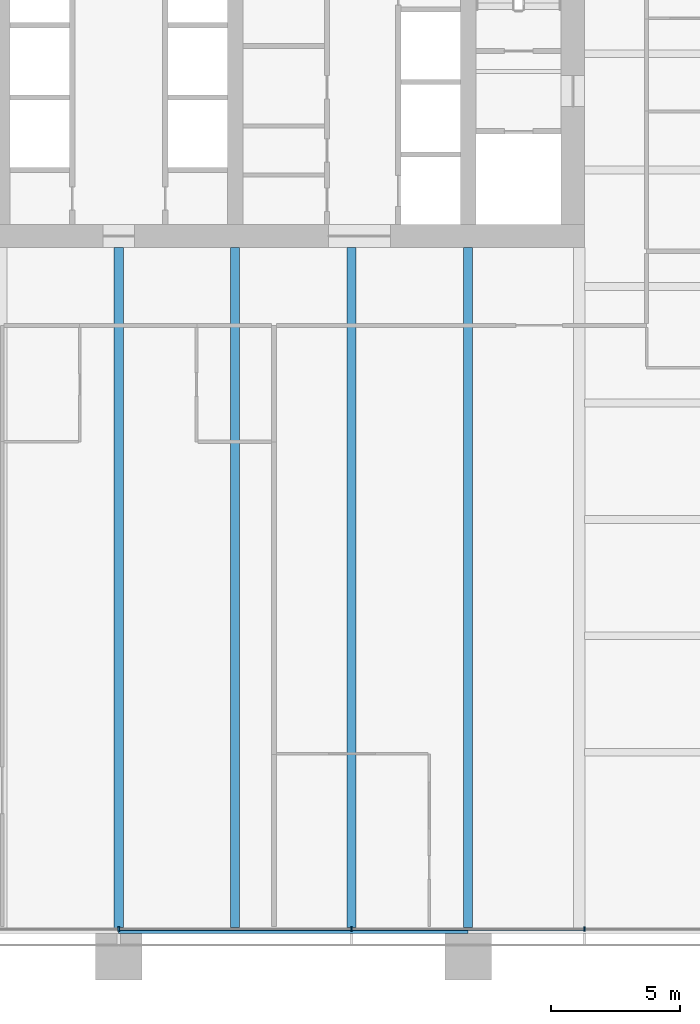
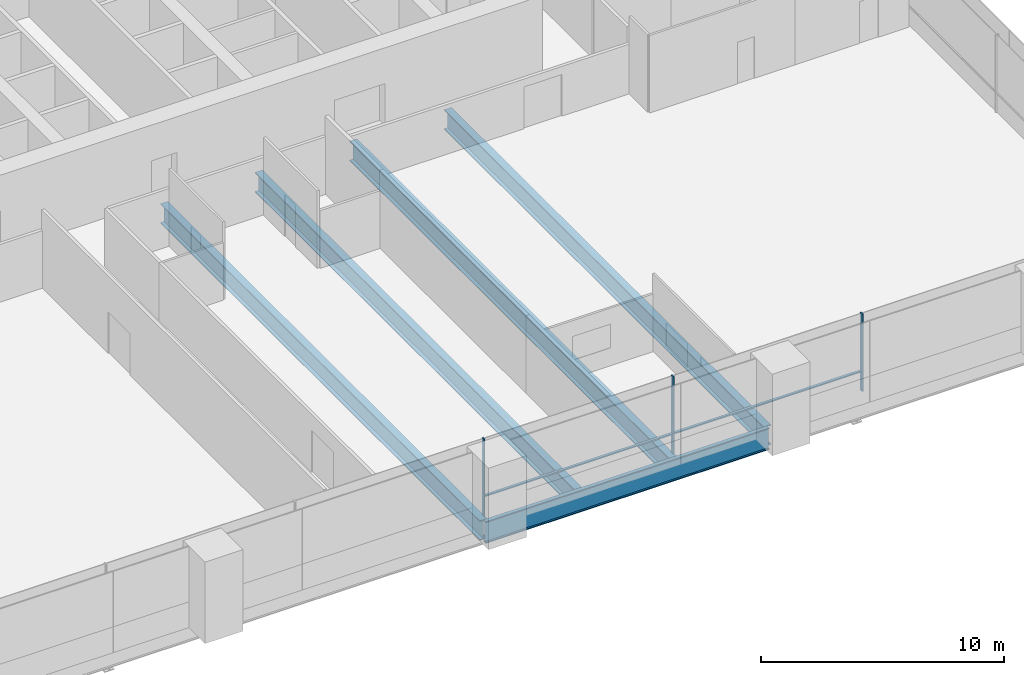
# One storey, part 5 of 19: 5 beams, 5 members, 1 element without a shape of its own.
"""IFC4 building model written with IfcOpenShell, lengths in metres."""

from ifc_helpers import new_model, si_unit, direction, frame, origin, origin_2d, place, context, subcontext, project, spatial, rectangle, i_section, extrude, material, material_profile, profile_set, type_object, element, aggregate, save


model = new_model("IFC4")

# Units and contexts
model_context = context("Model", 3, precision=1e-05, world=origin(), true_north=direction((0.0, 1.0)))
body_context = subcontext(model_context, "Body", "Model", "MODEL_VIEW")
ifc_project = project(units=[si_unit("LENGTHUNIT", "METRE"), si_unit("AREAUNIT", "SQUARE_METRE"), si_unit("VOLUMEUNIT", "CUBIC_METRE"), si_unit("PLANEANGLEUNIT", "RADIAN"), si_unit("MASSUNIT", "GRAM", prefix="KILO")], contexts=[model_context])

# Site, building, storey
site_placement = place(None, origin())
site = spatial("IfcSite", under=ifc_project, at=site_placement, CompositionType="ELEMENT")
building_placement = place(site_placement, origin())
building = spatial("IfcBuilding", under=site, at=building_placement, Name="Rattan Terrace Tower", CompositionType="ELEMENT")
storey_placement = place(building_placement, frame((0.0, 0.0, 52.89990234375)))
storey = spatial("IfcBuildingStorey", under=building, at=storey_placement, Name="L11", CompositionType="ELEMENT", Elevation=52.89990234375)

# Curtain wall, members
ifc_material_1 = material(Name="Aluminium and glass", Category="aluminium")
curtain_wall_type = type_object("IfcCurtainWallType", Name="Facade Unitised Curtain Wall", PredefinedType="NOTDEFINED", material=ifc_material_1)
curtain_wall_placement = place(storey_placement, origin())
curtain_wall = element("IfcCurtainWall", 1, at=curtain_wall_placement, inside=storey, type_object=curtain_wall_type, Name="Curtain wall L11-4", PredefinedType="NOTDEFINED")
ifc_material_2 = material(Name="Aluminium", Category="aluminium")
ifc_material_profile_1 = material_profile(ifc_material_2, rectangle(XDim=0.06005859375, YDim=0.159912109375, at=origin_2d()), Name="Aluminium 60x160")
ifc_profile_set_1 = profile_set([ifc_material_profile_1], Name="Aluminium")
member_type_1 = type_object("IfcMemberType", Name="Facade CW Mullion 60x160", PredefinedType="MULLION", material=ifc_profile_set_1)
member_1_placement = place(storey_placement, frame((0.0, -33.830078125, 0.0), z_axis=(0.0, 0.0, 1.0), x_axis=(1.0, 0.0, 0.0)))
member_1 = element("IfcMember", 2, at=member_1_placement, type_object=member_type_1, Name="Mullion cwl-L11-004.4", PredefinedType="MULLION", context=body_context, shape_type="SweptSolid", body=[
    extrude(rectangle(XDim=0.06005859375, YDim=0.159912109375, at=origin_2d()), origin(), (0.0, 0.0, 1.0), 3.900146484375),
])
member_2_placement = place(storey_placement, frame((9.0, -33.830078125, 0.0), z_axis=(0.0, 0.0, 1.0), x_axis=(1.0, 0.0, 0.0)))
member_2 = element("IfcMember", 3, at=member_2_placement, type_object=member_type_1, Name="Mullion cwl-L11-004.5", PredefinedType="MULLION", context=body_context, shape_type="SweptSolid", body=[
    extrude(rectangle(XDim=0.06005859375, YDim=0.159912109375, at=origin_2d()), origin(), (0.0, 0.0, 1.0), 3.900146484375),
])
member_3_placement = place(storey_placement, frame((18.0, -33.830078125, 0.0), z_axis=(0.0, 0.0, 1.0), x_axis=(1.0, 0.0, 0.0)))
member_3 = element("IfcMember", 4, at=member_3_placement, type_object=member_type_1, Name="Mullion cwl-L11-004.6", PredefinedType="MULLION", context=body_context, shape_type="SweptSolid", body=[
    extrude(rectangle(XDim=0.06005859375, YDim=0.159912109375, at=origin_2d()), origin(), (0.0, 0.0, 1.0), 3.900146484375),
])
ifc_material_3 = material(Name="Aluminium", Category="aluminium")
ifc_material_profile_2 = material_profile(ifc_material_3, rectangle(XDim=0.1201171875, YDim=0.06005859375, at=origin_2d()), Name="Aluminium 120x60")
ifc_profile_set_2 = profile_set([ifc_material_profile_2], Name="Aluminium")
member_type_2 = type_object("IfcMemberType", Name="Facade CW Transom 120x60", PredefinedType="USERDEFINED", material=ifc_profile_set_2)
member_4_placement = place(storey_placement, frame((0.030029296875, -33.830078125, 1.0), z_axis=(1.0, 0.0, 0.0), x_axis=(0.0, 1.0, 0.0)))
member_4 = element("IfcMember", 5, at=member_4_placement, type_object=member_type_2, Name="Transom cwl-L11-004.4", ObjectType="TRANSOM", PredefinedType="USERDEFINED", context=body_context, shape_type="SweptSolid", body=[
    extrude(rectangle(XDim=0.1201171875, YDim=0.06005859375, at=origin_2d()), origin(), (0.0, 0.0, 1.0), 8.93994140625),
])
member_5_placement = place(storey_placement, frame((9.030029296875, -33.830078125, 1.0), z_axis=(1.0, 0.0, 0.0), x_axis=(0.0, 1.0, 0.0)))
member_5 = element("IfcMember", 6, at=member_5_placement, type_object=member_type_2, Name="Transom cwl-L11-004.5", ObjectType="TRANSOM", PredefinedType="USERDEFINED", context=body_context, shape_type="SweptSolid", body=[
    extrude(rectangle(XDim=0.1201171875, YDim=0.06005859375, at=origin_2d()), origin(), (0.0, 0.0, 1.0), 8.93994140625),
])
aggregate(curtain_wall, [member_1, member_2, member_3, member_4, member_5])

# Beams
ifc_material_4 = material(Name="Steel S460", Category="steel")
ifc_material_profile_3 = material_profile(ifc_material_4, i_section(OverallWidth=0.179931640625, OverallDepth=1.10009765625, WebThickness=0.01611328125, FlangeThickness=0.050048828125, at=origin_2d()), Name="PG 1100x180-16-50")
ifc_profile_set_3 = profile_set([ifc_material_profile_3], Name="Steel S460")
beam_type_1 = type_object("IfcBeamType", Name="Frame edge girder PG 1100x180-16-50", PredefinedType="SPANDREL", material=ifc_profile_set_3)
beam_placement = place(storey_placement, frame((0.0, -33.909912109375, -0.75), z_axis=(1.0, 0.0, 0.0), x_axis=(0.0, 1.0, 0.0)))
element("IfcBeam", 7, at=beam_placement, inside=storey, type_object=beam_type_1, Name="gdr-L11-003", PredefinedType="SPANDREL", context=body_context, shape_type="SweptSolid", body=[
    extrude(i_section(OverallWidth=0.179931640625, OverallDepth=1.10009765625, WebThickness=0.01611328125, FlangeThickness=0.050048828125, at=origin_2d()), origin(), (0.0, 0.0, 1.0), 13.5),
])
ifc_material_5 = material(Name="Steel S460", Category="steel")
ifc_material_profile_4 = material_profile(ifc_material_5, i_section(OverallWidth=0.35009765625, OverallDepth=1.0, WebThickness=0.01611328125, FlangeThickness=0.044921875, at=origin_2d()), Name="PG 1000x350-16-45")
ifc_profile_set_4 = profile_set([ifc_material_profile_4], Name="Steel S460")
beam_type_2 = type_object("IfcBeamType", Name="Frame floor beam PG 1000x350-16-45", PredefinedType="JOIST", material=ifc_profile_set_4)
for number, where, z_axis, x_axis, name in (
    (8, (0.0, -33.820068359375, -0.699951171875), (0.0, 1.0, 0.0), (-1.0, 0.0, 0.0), "bm-L11-006"),
    (9, (4.5, -33.820068359375, -0.699951171875), (0.0, 1.0, 0.0), (-1.0, 0.0, 0.0), "bm-L11-007"),
    (10, (9.0, -33.820068359375, -0.699951171875), (0.0, 1.0, 0.0), (-1.0, 0.0, 0.0), "bm-L11-008"),
    (11, (13.5, -33.820068359375, -0.699951171875), (0.0, 1.0, 0.0), (-1.0, 0.0, 0.0), "bm-L11-009"),
):
    element("IfcBeam", number, at=place(storey_placement, frame(where, z_axis=z_axis, x_axis=x_axis)), inside=storey, type_object=beam_type_2, Name=name, PredefinedType="JOIST", context=body_context, shape_type="SweptSolid", body=[
        extrude(i_section(OverallWidth=0.35009765625, OverallDepth=1.0, WebThickness=0.01611328125, FlangeThickness=0.044921875, at=origin_2d()), origin(), (0.0, 0.0, 1.0), 26.320068359375),
    ])

save(model, "model.ifc")
